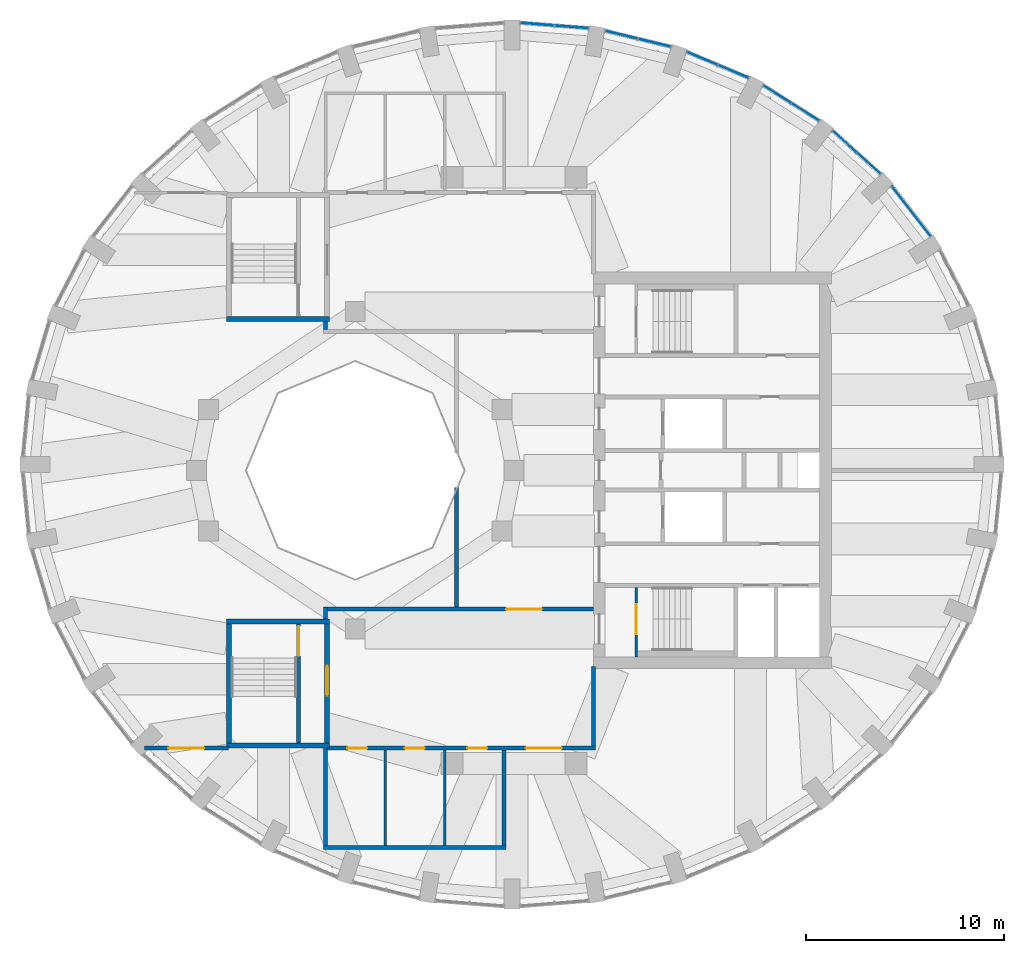
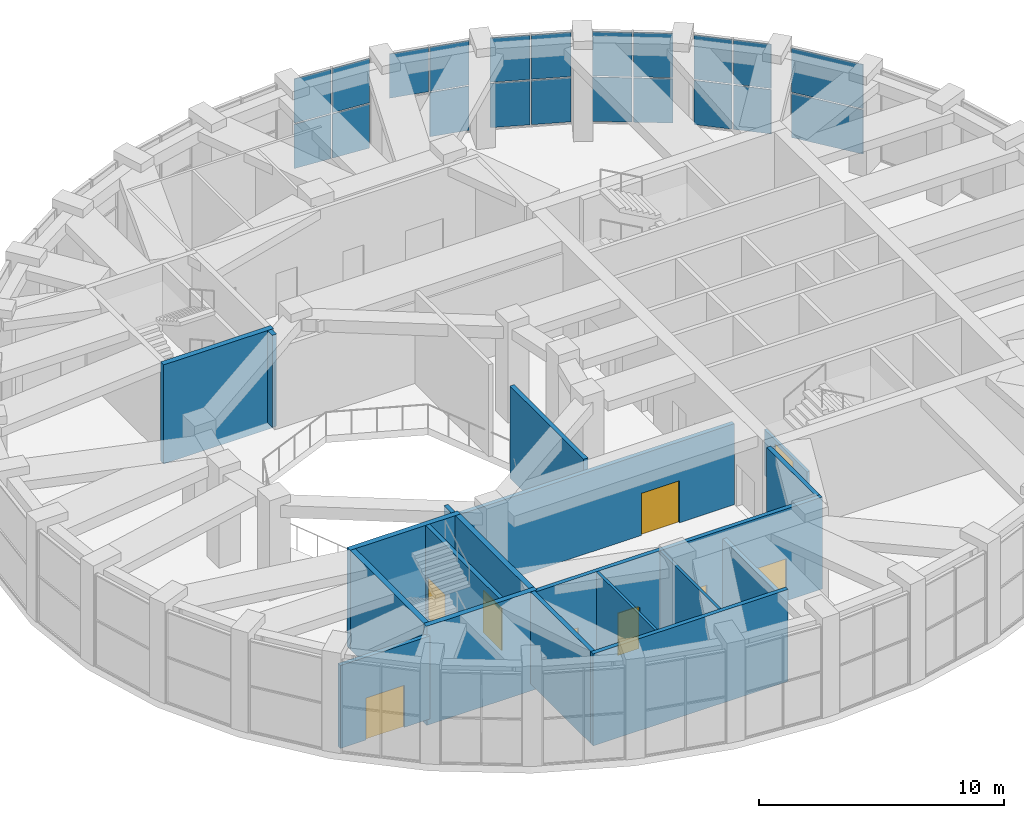
# One storey, part 12 of 16: 21 plates, 19 walls, 9 doors, 9 openings, 6 elements without a shape of their own.
"""IFC4 building model written with IfcOpenShell, lengths in metres."""

from ifc_helpers import new_model, si_unit, direction, frame, frame_2d, origin, origin_2d, place, context, subcontext, project, spatial, rectangle, extrude, material, layer, layer_set, type_object, element, fill, aggregate, save


model = new_model("IFC4")

# Units and contexts
model_context = context("Model", 3, precision=1e-05, world=origin(), true_north=direction((0.0, 1.0)))
body_context = subcontext(model_context, "Body", "Model", "MODEL_VIEW")
ifc_project = project(units=[si_unit("LENGTHUNIT", "METRE"), si_unit("AREAUNIT", "SQUARE_METRE"), si_unit("VOLUMEUNIT", "CUBIC_METRE"), si_unit("PLANEANGLEUNIT", "RADIAN"), si_unit("MASSUNIT", "GRAM", prefix="KILO")], contexts=[model_context])

# Site, building, storey
site_placement = place(None, origin())
site = spatial("IfcSite", under=ifc_project, at=site_placement, CompositionType="ELEMENT")
building_placement = place(site_placement, origin())
building = spatial("IfcBuilding", under=site, at=building_placement, Name="Taillehof Tower", CompositionType="ELEMENT")
storey_placement = place(building_placement, frame((0.0, 0.0, 264.199951171875)))
storey = spatial("IfcBuildingStorey", under=building, at=storey_placement, Name="L75", CompositionType="ELEMENT", Elevation=264.199951171875)

# Curtain wall, plates
ifc_material_1 = material(Name="Aluminium curtain wall with Clear laminated safety glass", Category="aluminium")
curtain_wall_type = type_object("IfcCurtainWallType", Name="Sky restaurant curtain wall", PredefinedType="USERDEFINED", material=ifc_material_1)
curtain_wall_1_placement = place(storey_placement, origin())
curtain_wall_1 = element("IfcCurtainWall", 1, at=curtain_wall_1_placement, inside=storey, type_object=curtain_wall_type, Name="Sky restaurant L75 bay 4", ObjectType="WINDOW WALL", PredefinedType="USERDEFINED")
ifc_material_2 = material(Name="Clear laminated safety glass", Category="glass")
ifc_layer_1 = layer(ifc_material_2, 0.031982421875)
ifc_layer_set_1 = layer_set([ifc_layer_1], Name="Sky restaurant glass panel 32")
plate_type = type_object("IfcPlateType", Name="Sky restaurant glass panel 32", PredefinedType="CURTAIN_PANEL", material=ifc_layer_set_1)
plate_1_placement = place(storey_placement, frame((20.029296875, 13.060546875, 0.06005859375), z_axis=(0.0, 0.0, 1.0), x_axis=(-0.613902818005, 0.789381612432, 0.0)))
plate_1 = element("IfcPlate", 2, at=plate_1_placement, type_object=plate_type, Name="CT5E04 panel 1.1", PredefinedType="CURTAIN_PANEL", context=body_context, shape_type="SweptSolid", body=[
    extrude(rectangle(XDim=3.14794921875, YDim=0.031982421875, at=origin_2d()), origin(), (0.0, 0.0, 1.0), 2.205078125),
])
plate_2_placement = place(storey_placement, frame((20.029296875, 13.060546875, 2.324951171875), z_axis=(0.0, 0.0, 1.0), x_axis=(-0.613902818005, 0.789381612432, 0.0)))
plate_2 = element("IfcPlate", 3, at=plate_2_placement, type_object=plate_type, Name="CT5E04 panel 1.2", PredefinedType="CURTAIN_PANEL", context=body_context, shape_type="SweptSolid", body=[
    extrude(rectangle(XDim=3.14794921875, YDim=0.031982421875, at=origin_2d()), origin(), (0.0, 0.0, 1.0), 2.205078125),
])
aggregate(curtain_wall_1, [plate_1, plate_2])

curtain_wall_2_placement = place(storey_placement, origin())
curtain_wall_2 = element("IfcCurtainWall", 4, at=curtain_wall_2_placement, inside=storey, type_object=curtain_wall_type, Name="Sky restaurant L75 bay 5", ObjectType="WINDOW WALL", PredefinedType="USERDEFINED")
plate_3_placement = place(storey_placement, frame((17.87744140625, 15.47509765625, 0.06005859375), z_axis=(0.0, 0.0, 1.0), x_axis=(-0.74316593792, 0.669107157872, 0.0)))
plate_3 = element("IfcPlate", 5, at=plate_3_placement, type_object=plate_type, Name="CT5E05 panel 1.1", PredefinedType="CURTAIN_PANEL", context=body_context, shape_type="SweptSolid", body=[
    extrude(rectangle(XDim=1.578125, YDim=0.031982421875, at=origin_2d()), origin(), (0.0, 0.0, 1.0), 2.205078125),
])
plate_4_placement = place(storey_placement, frame((17.87744140625, 15.47509765625, 2.324951171875), z_axis=(0.0, 0.0, 1.0), x_axis=(-0.74316593792, 0.669107157872, 0.0)))
plate_4 = element("IfcPlate", 6, at=plate_4_placement, type_object=plate_type, Name="CT5E05 panel 1.2", PredefinedType="CURTAIN_PANEL", context=body_context, shape_type="SweptSolid", body=[
    extrude(rectangle(XDim=1.578125, YDim=0.031982421875, at=origin_2d()), origin(), (0.0, 0.0, 1.0), 2.205078125),
])
plate_5_placement = place(storey_placement, frame((16.659912109375, 16.5712890625, 0.06005859375), z_axis=(0.0, 0.0, 1.0), x_axis=(-0.74316593792, 0.669107157872, 0.0)))
plate_5 = element("IfcPlate", 7, at=plate_5_placement, type_object=plate_type, Name="CT5E05 panel 2.1", PredefinedType="CURTAIN_PANEL", context=body_context, shape_type="SweptSolid", body=[
    extrude(rectangle(XDim=1.578125, YDim=0.031982421875, at=origin_2d()), origin(), (0.0, 0.0, 1.0), 2.205078125),
])
plate_6_placement = place(storey_placement, frame((16.659912109375, 16.5712890625, 2.324951171875), z_axis=(0.0, 0.0, 1.0), x_axis=(-0.74316593792, 0.669107157872, 0.0)))
plate_6 = element("IfcPlate", 8, at=plate_6_placement, type_object=plate_type, Name="CT5E05 panel 2.2", PredefinedType="CURTAIN_PANEL", context=body_context, shape_type="SweptSolid", body=[
    extrude(rectangle(XDim=1.578125, YDim=0.031982421875, at=origin_2d()), origin(), (0.0, 0.0, 1.0), 2.205078125),
])
aggregate(curtain_wall_2, [plate_3, plate_4, plate_5, plate_6])

curtain_wall_3_placement = place(storey_placement, origin())
curtain_wall_3 = element("IfcCurtainWall", 9, at=curtain_wall_3_placement, inside=storey, type_object=curtain_wall_type, Name="Sky restaurant L75 bay 6", ObjectType="WINDOW WALL", PredefinedType="USERDEFINED")
plate_7_placement = place(storey_placement, frame((14.690185546875, 18.059814453125, 0.06005859375), z_axis=(0.0, 0.0, 1.0), x_axis=(-0.845929695916, 0.533294430468, 0.0)))
plate_7 = element("IfcPlate", 10, at=plate_7_placement, type_object=plate_type, Name="CT5E06 panel 1.1", PredefinedType="CURTAIN_PANEL", context=body_context, shape_type="SweptSolid", body=[
    extrude(rectangle(XDim=1.61181640625, YDim=0.031982421875, at=origin_2d()), origin(), (0.0, 0.0, 1.0), 2.205078125),
])
plate_8_placement = place(storey_placement, frame((14.690185546875, 18.059814453125, 2.324951171875), z_axis=(0.0, 0.0, 1.0), x_axis=(-0.845929695916, 0.533294430468, 0.0)))
plate_8 = element("IfcPlate", 11, at=plate_8_placement, type_object=plate_type, Name="CT5E06 panel 1.2", PredefinedType="CURTAIN_PANEL", context=body_context, shape_type="SweptSolid", body=[
    extrude(rectangle(XDim=1.61181640625, YDim=0.031982421875, at=origin_2d()), origin(), (0.0, 0.0, 1.0), 2.205078125),
])
plate_9_placement = place(storey_placement, frame((13.27587890625, 18.951416015625, 0.06005859375), z_axis=(0.0, 0.0, 1.0), x_axis=(-0.845929695916, 0.533294430468, 0.0)))
plate_9 = element("IfcPlate", 12, at=plate_9_placement, type_object=plate_type, Name="CT5E06 panel 2.1", PredefinedType="CURTAIN_PANEL", context=body_context, shape_type="SweptSolid", body=[
    extrude(rectangle(XDim=1.61181640625, YDim=0.031982421875, at=origin_2d()), origin(), (0.0, 0.0, 1.0), 2.205078125),
])
plate_10_placement = place(storey_placement, frame((13.27587890625, 18.951416015625, 2.324951171875), z_axis=(0.0, 0.0, 1.0), x_axis=(-0.845929695916, 0.533294430468, 0.0)))
plate_10 = element("IfcPlate", 13, at=plate_10_placement, type_object=plate_type, Name="CT5E06 panel 2.2", PredefinedType="CURTAIN_PANEL", context=body_context, shape_type="SweptSolid", body=[
    extrude(rectangle(XDim=1.61181640625, YDim=0.031982421875, at=origin_2d()), origin(), (0.0, 0.0, 1.0), 2.205078125),
])
aggregate(curtain_wall_3, [plate_7, plate_8, plate_9, plate_10])

curtain_wall_4_placement = place(storey_placement, origin())
curtain_wall_4 = element("IfcCurtainWall", 14, at=curtain_wall_4_placement, inside=storey, type_object=curtain_wall_type, Name="Sky restaurant L75 bay 7", ObjectType="WINDOW WALL", PredefinedType="USERDEFINED")
plate_11_placement = place(storey_placement, frame((11.05712890625, 20.10498046875, 0.06005859375), z_axis=(0.0, 0.0, 1.0), x_axis=(-0.922037438233, 0.387100713636, 0.0)))
plate_11 = element("IfcPlate", 15, at=plate_11_placement, type_object=plate_type, Name="CT5E07 panel 1.1", PredefinedType="CURTAIN_PANEL", context=body_context, shape_type="SweptSolid", body=[
    extrude(rectangle(XDim=1.64111328125, YDim=0.031982421875, at=origin_2d()), origin(), (0.0, 0.0, 1.0), 2.205078125),
])
plate_12_placement = place(storey_placement, frame((11.05712890625, 20.10498046875, 2.324951171875), z_axis=(0.0, 0.0, 1.0), x_axis=(-0.922037438233, 0.387100713636, 0.0)))
plate_12 = element("IfcPlate", 16, at=plate_12_placement, type_object=plate_type, Name="CT5E07 panel 1.2", PredefinedType="CURTAIN_PANEL", context=body_context, shape_type="SweptSolid", body=[
    extrude(rectangle(XDim=1.64111328125, YDim=0.031982421875, at=origin_2d()), origin(), (0.0, 0.0, 1.0), 2.205078125),
])
plate_13_placement = place(storey_placement, frame((9.48876953125, 20.763671875, 0.06005859375), z_axis=(0.0, 0.0, 1.0), x_axis=(-0.922037438233, 0.387100713636, 0.0)))
plate_13 = element("IfcPlate", 17, at=plate_13_placement, type_object=plate_type, Name="CT5E07 panel 2.1", PredefinedType="CURTAIN_PANEL", context=body_context, shape_type="SweptSolid", body=[
    extrude(rectangle(XDim=1.64111328125, YDim=0.031982421875, at=origin_2d()), origin(), (0.0, 0.0, 1.0), 2.205078125),
])
plate_14_placement = place(storey_placement, frame((9.48876953125, 20.763671875, 2.324951171875), z_axis=(0.0, 0.0, 1.0), x_axis=(-0.922037438233, 0.387100713636, 0.0)))
plate_14 = element("IfcPlate", 18, at=plate_14_placement, type_object=plate_type, Name="CT5E07 panel 2.2", PredefinedType="CURTAIN_PANEL", context=body_context, shape_type="SweptSolid", body=[
    extrude(rectangle(XDim=1.64111328125, YDim=0.031982421875, at=origin_2d()), origin(), (0.0, 0.0, 1.0), 2.205078125),
])
aggregate(curtain_wall_4, [plate_11, plate_12, plate_13, plate_14])

curtain_wall_5_placement = place(storey_placement, origin())
curtain_wall_5 = element("IfcCurtainWall", 19, at=curtain_wall_5_placement, inside=storey, type_object=curtain_wall_type, Name="Sky restaurant L75 bay 8", ObjectType="WINDOW WALL", PredefinedType="USERDEFINED")
plate_15_placement = place(storey_placement, frame((7.08837890625, 21.550537109375, 0.06005859375), z_axis=(0.0, 0.0, 1.0), x_axis=(-0.972112616855, 0.234514520129, 0.0)))
plate_15 = element("IfcPlate", 20, at=plate_15_placement, type_object=plate_type, Name="CT5E08 panel 1.1", PredefinedType="CURTAIN_PANEL", context=body_context, shape_type="SweptSolid", body=[
    extrude(rectangle(XDim=1.66259765625, YDim=0.031982421875, at=origin_2d()), origin(), (0.0, 0.0, 1.0), 2.205078125),
])
plate_16_placement = place(storey_placement, frame((7.08837890625, 21.550537109375, 2.324951171875), z_axis=(0.0, 0.0, 1.0), x_axis=(-0.972112616855, 0.234514520129, 0.0)))
plate_16 = element("IfcPlate", 21, at=plate_16_placement, type_object=plate_type, Name="CT5E08 panel 1.2", PredefinedType="CURTAIN_PANEL", context=body_context, shape_type="SweptSolid", body=[
    extrude(rectangle(XDim=1.66259765625, YDim=0.031982421875, at=origin_2d()), origin(), (0.0, 0.0, 1.0), 2.205078125),
])
plate_17_placement = place(storey_placement, frame((5.413818359375, 21.954345703125, 2.324951171875), z_axis=(0.0, 0.0, 1.0), x_axis=(-0.972112616855, 0.234514520129, 0.0)))
plate_17 = element("IfcPlate", 22, at=plate_17_placement, type_object=plate_type, Name="CT5E08 panel 2.2", PredefinedType="CURTAIN_PANEL", context=body_context, shape_type="SweptSolid", body=[
    extrude(rectangle(XDim=1.66259765625, YDim=0.031982421875, at=origin_2d()), origin(), (0.0, 0.0, 1.0), 2.205078125),
])
aggregate(curtain_wall_5, [plate_15, plate_16, plate_17])

curtain_wall_6_placement = place(storey_placement, origin())
curtain_wall_6 = element("IfcCurtainWall", 23, at=curtain_wall_6_placement, inside=storey, type_object=curtain_wall_type, Name="Sky restaurant L75 bay 9", ObjectType="WINDOW WALL", PredefinedType="USERDEFINED")
plate_18_placement = place(storey_placement, frame((2.902587890625, 22.35302734375, 0.06005859375), z_axis=(0.0, 0.0, 1.0), x_axis=(-0.996912140109, 0.078525059075, 0.0)))
plate_18 = element("IfcPlate", 24, at=plate_18_placement, type_object=plate_type, Name="CT5E09 panel 1.1", PredefinedType="CURTAIN_PANEL", context=body_context, shape_type="SweptSolid", body=[
    extrude(rectangle(XDim=1.673828125, YDim=0.031982421875, at=origin_2d()), origin(), (0.0, 0.0, 1.0), 2.205078125),
])
plate_19_placement = place(storey_placement, frame((2.902587890625, 22.35302734375, 2.324951171875), z_axis=(0.0, 0.0, 1.0), x_axis=(-0.996912140109, 0.078525059075, 0.0)))
plate_19 = element("IfcPlate", 25, at=plate_19_placement, type_object=plate_type, Name="CT5E09 panel 1.2", PredefinedType="CURTAIN_PANEL", context=body_context, shape_type="SweptSolid", body=[
    extrude(rectangle(XDim=1.673828125, YDim=0.031982421875, at=origin_2d()), origin(), (0.0, 0.0, 1.0), 2.205078125),
])
plate_20_placement = place(storey_placement, frame((1.174072265625, 22.4892578125, 0.06005859375), z_axis=(0.0, 0.0, 1.0), x_axis=(-0.996912140109, 0.078525059075, 0.0)))
plate_20 = element("IfcPlate", 26, at=plate_20_placement, type_object=plate_type, Name="CT5E09 panel 2.1", PredefinedType="CURTAIN_PANEL", context=body_context, shape_type="SweptSolid", body=[
    extrude(rectangle(XDim=1.673828125, YDim=0.031982421875, at=origin_2d()), origin(), (0.0, 0.0, 1.0), 2.205078125),
])
plate_21_placement = place(storey_placement, frame((1.174072265625, 22.4892578125, 2.324951171875), z_axis=(0.0, 0.0, 1.0), x_axis=(-0.996912140109, 0.078525059075, 0.0)))
plate_21 = element("IfcPlate", 27, at=plate_21_placement, type_object=plate_type, Name="CT5E09 panel 2.2", PredefinedType="CURTAIN_PANEL", context=body_context, shape_type="SweptSolid", body=[
    extrude(rectangle(XDim=1.673828125, YDim=0.031982421875, at=origin_2d()), origin(), (0.0, 0.0, 1.0), 2.205078125),
])
aggregate(curtain_wall_6, [plate_18, plate_19, plate_20, plate_21])

# Wall
ifc_material_3 = material(Name="Calcium silicate blockwork", Category="masonry")
ifc_layer_2 = layer(ifc_material_3, 0.199951171875)
ifc_layer_set_2 = layer_set([ifc_layer_2], Name="Compartment wall EI 60 200 mm")
wall_type_1 = type_object("IfcWallType", Name="Compartment wall EI 60 200 mm", PredefinedType="PARTITIONING", material=ifc_layer_set_2)
wall_1_placement = place(storey_placement, frame((-9.60009765625, -19.0, 0.0), z_axis=(0.0, 0.0, 1.0), x_axis=(1.0, 0.0, 0.0)))
element("IfcWall", 28, at=wall_1_placement, inside=storey, type_object=wall_type_1, Name="Wall L75-04 / L75-11", PredefinedType="PARTITIONING", context=body_context, shape_type="SweptSolid", body=[
    extrude(rectangle(XDim=9.2001953125, YDim=0.199951171875, at=frame_2d((4.60009765625, 0.0))), origin(), (0.0, 0.0, 1.0), 4.590087890625),
])

# Wall, opening, door
wall_2_placement = place(storey_placement, frame((-18.635498046875, -14.0, 0.0), z_axis=(0.0, 0.0, 1.0), x_axis=(1.0, 0.0, 0.0)))
wall_2 = element("IfcWall", 29, at=wall_2_placement, inside=storey, type_object=wall_type_1, Name="Wall L75-11 / L75-12", PredefinedType="PARTITIONING", context=body_context, shape_type="SweptSolid", body=[
    extrude(rectangle(XDim=4.235595703125, YDim=0.199951171875, at=frame_2d((2.11767578125, 0.0))), origin(), (0.0, 0.0, 1.0), 4.14013671875),
])
opening_1_placement = place(wall_2_placement, frame((1.217529296875, 0.0, 0.0)))
opening_1 = element("IfcOpeningElement", 30, at=opening_1_placement, cuts=wall_2, Name="Opening D7541", PredefinedType="OPENING", context=body_context, shape_type="SweptSolid", body=[
    extrude(rectangle(XDim=1.800048828125, YDim=2.10009765625, at=frame_2d((0.89990234375, 1.050048828125))), frame((0.0, 0.10986328125, 0.0), z_axis=(0.0, -1.0, 0.0), x_axis=(1.0, 0.0, 0.0)), (0.0, 0.0, 1.0), 0.219970703125),
])
ifc_material_4 = material(Name="Hollow metal door set")
door_type_1 = type_object("IfcDoorType", Name="Double door 1800 x 2100 FD60S", OperationType="DOUBLE_DOOR_SINGLE_SWING", PredefinedType="DOOR", material=ifc_material_4)
door_1_placement = place(opening_1_placement, origin())
door_1 = element("IfcDoor", 31, at=door_1_placement, inside=storey, type_object=door_type_1, Name="Door D7541", OperationType="DOUBLE_DOOR_SINGLE_SWING", OverallHeight=2.10009765625, OverallWidth=1.800048828125, PredefinedType="DOOR", context=body_context, shape_type="SweptSolid", body=[
    extrude(rectangle(XDim=1.800048828125, YDim=2.10009765625, at=frame_2d((0.89990234375, 1.050048828125))), frame((0.0, 0.02490234375, 0.0), z_axis=(0.0, -1.0, 0.0), x_axis=(1.0, 0.0, 0.0)), (0.0, 0.0, 1.0), 0.050048828125),
])
fill(opening_1, door_1)

# Wall, openings, doors
wall_3_placement = place(storey_placement, frame((-9.39990234375, -14.0, 0.0), z_axis=(0.0, 0.0, 1.0), x_axis=(1.0, 0.0, 0.0)))
wall_3 = element("IfcWall", 32, at=wall_3_placement, inside=storey, type_object=wall_type_1, Name="Wall L75-04 / L75-08", PredefinedType="PARTITIONING", context=body_context, shape_type="SweptSolid", body=[
    extrude(rectangle(XDim=13.5, YDim=0.199951171875, at=frame_2d((6.75, 0.0))), origin(), (0.0, 0.0, 1.0), 4.590087890625),
])
opening_2_placement = place(wall_3_placement, frame((10.0, 0.0, 0.0)))
opening_2 = element("IfcOpeningElement", 33, at=opening_2_placement, cuts=wall_3, Name="Opening D7545", PredefinedType="OPENING", context=body_context, shape_type="SweptSolid", body=[
    extrude(rectangle(XDim=1.800048828125, YDim=2.10009765625, at=frame_2d((0.89990234375, 1.050048828125))), frame((0.0, 0.10986328125, 0.0), z_axis=(0.0, -1.0, 0.0), x_axis=(1.0, 0.0, 0.0)), (0.0, 0.0, 1.0), 0.219970703125),
])
opening_3_placement = place(wall_3_placement, frame((1.0, 0.0, 0.0)))
opening_3 = element("IfcOpeningElement", 34, at=opening_3_placement, cuts=wall_3, Name="Opening D7542", PredefinedType="OPENING", context=body_context, shape_type="SweptSolid", body=[
    extrude(rectangle(XDim=1.0, YDim=2.10009765625, at=frame_2d((0.5, 1.050048828125))), frame((0.0, 0.10986328125, 0.0), z_axis=(0.0, -1.0, 0.0), x_axis=(1.0, 0.0, 0.0)), (0.0, 0.0, 1.0), 0.219970703125),
])
opening_4_placement = place(wall_3_placement, frame((3.89990234375, 0.0, 0.0)))
opening_4 = element("IfcOpeningElement", 35, at=opening_4_placement, cuts=wall_3, Name="Opening D7543", PredefinedType="OPENING", context=body_context, shape_type="SweptSolid", body=[
    extrude(rectangle(XDim=1.0, YDim=2.10009765625, at=frame_2d((0.5, 1.050048828125))), frame((0.0, 0.10986328125, 0.0), z_axis=(0.0, -1.0, 0.0), x_axis=(1.0, 0.0, 0.0)), (0.0, 0.0, 1.0), 0.219970703125),
])
opening_5_placement = place(wall_3_placement, frame((7.050048828125, 0.0, 0.0)))
opening_5 = element("IfcOpeningElement", 36, at=opening_5_placement, cuts=wall_3, Name="Opening D7544", PredefinedType="OPENING", context=body_context, shape_type="SweptSolid", body=[
    extrude(rectangle(XDim=1.0, YDim=2.10009765625, at=frame_2d((0.5, 1.050048828125))), frame((0.0, 0.10986328125, 0.0), z_axis=(0.0, -1.0, 0.0), x_axis=(1.0, 0.0, 0.0)), (0.0, 0.0, 1.0), 0.219970703125),
])
door_2_placement = place(opening_2_placement, origin())
door_2 = element("IfcDoor", 37, at=door_2_placement, inside=storey, type_object=door_type_1, Name="Door D7545", OperationType="DOUBLE_DOOR_SINGLE_SWING", OverallHeight=2.10009765625, OverallWidth=1.800048828125, PredefinedType="DOOR", context=body_context, shape_type="SweptSolid", body=[
    extrude(rectangle(XDim=1.800048828125, YDim=2.10009765625, at=frame_2d((0.89990234375, 1.050048828125))), frame((0.0, 0.02490234375, 0.0), z_axis=(0.0, -1.0, 0.0), x_axis=(1.0, 0.0, 0.0)), (0.0, 0.0, 1.0), 0.050048828125),
])
fill(opening_2, door_2)
ifc_material_5 = material(Name="Hollow metal door set")
door_type_2 = type_object("IfcDoorType", Name="Single door 1000 x 2100 FD60S", OperationType="SINGLE_SWING_LEFT", PredefinedType="DOOR", material=ifc_material_5)
door_3_placement = place(opening_3_placement, origin())
door_3 = element("IfcDoor", 38, at=door_3_placement, inside=storey, type_object=door_type_2, Name="Door D7542", OperationType="SINGLE_SWING_LEFT", OverallHeight=2.10009765625, OverallWidth=1.0, PredefinedType="DOOR", context=body_context, shape_type="SweptSolid", body=[
    extrude(rectangle(XDim=1.0, YDim=2.10009765625, at=frame_2d((0.5, 1.050048828125))), frame((0.0, 0.02490234375, 0.0), z_axis=(0.0, -1.0, 0.0), x_axis=(1.0, 0.0, 0.0)), (0.0, 0.0, 1.0), 0.050048828125),
])
fill(opening_3, door_3)
door_4_placement = place(opening_4_placement, origin())
door_4 = element("IfcDoor", 39, at=door_4_placement, inside=storey, type_object=door_type_2, Name="Door D7543", OperationType="SINGLE_SWING_LEFT", OverallHeight=2.10009765625, OverallWidth=1.0, PredefinedType="DOOR", context=body_context, shape_type="SweptSolid", body=[
    extrude(rectangle(XDim=1.0, YDim=2.10009765625, at=frame_2d((0.5, 1.050048828125))), frame((0.0, 0.02490234375, 0.0), z_axis=(0.0, -1.0, 0.0), x_axis=(1.0, 0.0, 0.0)), (0.0, 0.0, 1.0), 0.050048828125),
])
fill(opening_4, door_4)
door_5_placement = place(opening_5_placement, origin())
door_5 = element("IfcDoor", 40, at=door_5_placement, inside=storey, type_object=door_type_2, Name="Door D7544", OperationType="SINGLE_SWING_LEFT", OverallHeight=2.10009765625, OverallWidth=1.0, PredefinedType="DOOR", context=body_context, shape_type="SweptSolid", body=[
    extrude(rectangle(XDim=1.0, YDim=2.10009765625, at=frame_2d((0.5, 1.050048828125))), frame((0.0, 0.02490234375, 0.0), z_axis=(0.0, -1.0, 0.0), x_axis=(1.0, 0.0, 0.0)), (0.0, 0.0, 1.0), 0.050048828125),
])
fill(opening_5, door_5)

# Wall, opening, door
wall_4_placement = place(storey_placement, frame((-9.39990234375, -7.0, 0.0), z_axis=(0.0, 0.0, 1.0), x_axis=(1.0, 0.0, 0.0)))
wall_4 = element("IfcWall", 41, at=wall_4_placement, inside=storey, type_object=wall_type_1, Name="Wall L75-08 / L75-12", PredefinedType="PARTITIONING", context=body_context, shape_type="SweptSolid", body=[
    extrude(rectangle(XDim=13.40185546875, YDim=0.199951171875, at=frame_2d((6.700927734375, 0.0))), origin(), (0.0, 0.0, 1.0), 4.0400390625),
])
opening_6_placement = place(wall_4_placement, frame((9.0009765625, 0.0, 0.0)))
opening_6 = element("IfcOpeningElement", 42, at=opening_6_placement, cuts=wall_4, Name="Opening D7546", PredefinedType="OPENING", context=body_context, shape_type="SweptSolid", body=[
    extrude(rectangle(XDim=1.800048828125, YDim=2.10009765625, at=frame_2d((0.89990234375, 1.050048828125))), frame((0.0, 0.10986328125, 0.0), z_axis=(0.0, -1.0, 0.0), x_axis=(1.0, 0.0, 0.0)), (0.0, 0.0, 1.0), 0.219970703125),
])
door_6_placement = place(opening_6_placement, origin())
door_6 = element("IfcDoor", 43, at=door_6_placement, inside=storey, type_object=door_type_1, Name="Door D7546", OperationType="DOUBLE_DOOR_SINGLE_SWING", OverallHeight=2.10009765625, OverallWidth=1.800048828125, PredefinedType="DOOR", context=body_context, shape_type="SweptSolid", body=[
    extrude(rectangle(XDim=1.800048828125, YDim=2.10009765625, at=frame_2d((0.89990234375, 1.050048828125))), frame((0.0, 0.02490234375, 0.0), z_axis=(0.0, -1.0, 0.0), x_axis=(1.0, 0.0, 0.0)), (0.0, 0.0, 1.0), 0.050048828125),
])
fill(opening_6, door_6)

# Walls
wall_5_placement = place(storey_placement, frame((-9.5, -18.89990234375, 0.0), z_axis=(0.0, 0.0, 1.0), x_axis=(0.0, 1.0, 0.0)))
element("IfcWall", 44, at=wall_5_placement, inside=storey, type_object=wall_type_1, Name="Wall L75-04 / L75-11", PredefinedType="PARTITIONING", context=body_context, shape_type="SweptSolid", body=[
    extrude(rectangle(XDim=4.90185546875, YDim=0.199951171875, at=frame_2d((2.450927734375, 0.0))), origin(), (0.0, 0.0, 1.0), 4.590087890625),
])
wall_6_placement = place(storey_placement, frame((-9.5, -7.501953125, 0.0), z_axis=(0.0, 0.0, 1.0), x_axis=(0.0, 1.0, 0.0)))
element("IfcWall", 45, at=wall_6_placement, inside=storey, type_object=wall_type_1, Name="Wall L75-08 / L75-12", PredefinedType="PARTITIONING", context=body_context, shape_type="SweptSolid", body=[
    extrude(rectangle(XDim=0.60205078125, YDim=0.199951171875, at=frame_2d((0.301025390625, 0.0))), origin(), (0.0, 0.0, 1.0), 4.590087890625),
])
wall_7_placement = place(storey_placement, frame((-9.5, 7.10009765625, 0.0), z_axis=(0.0, 0.0, 1.0), x_axis=(0.0, 1.0, 0.0)))
element("IfcWall", 46, at=wall_7_placement, inside=storey, type_object=wall_type_1, Name="Wall L75-07 / L75-12", PredefinedType="PARTITIONING", context=body_context, shape_type="SweptSolid", body=[
    extrude(rectangle(XDim=0.40185546875, YDim=0.199951171875, at=frame_2d((0.200927734375, 0.0))), origin(), (0.0, 0.0, 1.0), 4.590087890625),
])
wall_8_placement = place(storey_placement, frame((-2.89990234375, -6.89990234375, 0.0), z_axis=(0.0, 0.0, 1.0), x_axis=(0.0, 1.0, 0.0)))
element("IfcWall", 47, at=wall_8_placement, inside=storey, type_object=wall_type_1, Name="Wall L75-09 / L75-12", PredefinedType="PARTITIONING", context=body_context, shape_type="SweptSolid", body=[
    extrude(rectangle(XDim=6.0341796875, YDim=0.199951171875, at=frame_2d((3.01708984375, 0.0))), origin(), (0.0, 0.0, 1.0), 4.590087890625),
])
wall_9_placement = place(storey_placement, frame((-0.5, -18.89990234375, 0.0), z_axis=(0.0, 0.0, 1.0), x_axis=(0.0, 1.0, 0.0)))
element("IfcWall", 48, at=wall_9_placement, inside=storey, type_object=wall_type_1, Name="Wall L75-06 / L75-11", PredefinedType="PARTITIONING", context=body_context, shape_type="SweptSolid", body=[
    extrude(rectangle(XDim=4.7998046875, YDim=0.199951171875, at=frame_2d((2.39990234375, 0.0))), origin(), (0.0, 0.0, 1.0), 4.14013671875),
])
wall_10_placement = place(storey_placement, frame((4.0, -13.89990234375, 0.0), z_axis=(0.0, 0.0, 1.0), x_axis=(0.0, 1.0, 0.0)))
element("IfcWall", 49, at=wall_10_placement, inside=storey, type_object=wall_type_1, Name="Wall L75-08 / L75-11", PredefinedType="PARTITIONING", context=body_context, shape_type="SweptSolid", body=[
    extrude(rectangle(XDim=4.0, YDim=0.199951171875, at=frame_2d((2.0, 0.0))), origin(), (0.0, 0.0, 1.0), 4.590087890625),
])
ifc_material_6 = material(Name="Gypsum board partition on steel studs", Category="steel")
ifc_layer_3 = layer(ifc_material_6, 0.125)
ifc_layer_set_3 = layer_set([ifc_layer_3], Name="Partition wall EI 30 125 mm")
wall_type_2 = type_object("IfcWallType", Name="Partition wall EI 30 125 mm", PredefinedType="PARTITIONING", material=ifc_layer_set_3)
for number, where, z_axis, x_axis, name in (
    (50, (-6.5, -18.89990234375, 0.0), (0.0, 0.0, 1.0), (0.0, 1.0, 0.0), "Wall L75-04 / L75-05"),
    (51, (-3.5, -18.89990234375, 0.0), (0.0, 0.0, 1.0), (0.0, 1.0, 0.0), "Wall L75-05 / L75-06"),
):
    element("IfcWall", number, at=place(storey_placement, frame(where, z_axis=z_axis, x_axis=x_axis)), inside=storey, type_object=wall_type_2, Name=name, PredefinedType="PARTITIONING", context=body_context, shape_type="SweptSolid", body=[
        extrude(rectangle(XDim=4.7998046875, YDim=0.125, at=frame_2d((2.39990234375, 0.0))), origin(), (0.0, 0.0, 1.0), 4.590087890625),
    ])

# Wall, opening, door
ifc_material_7 = material(Name="Concrete C50/60", Category="concrete")
ifc_layer_4 = layer(ifc_material_7, 0.199951171875)
ifc_layer_set_4 = layer_set([ifc_layer_4], Name="Shaft wall C50/60 200")
wall_type_3 = type_object("IfcWallType", Name="Shaft wall C50/60 200", PredefinedType="SHEAR", material=ifc_layer_set_4)
wall_11_placement = place(storey_placement, frame((-10.85009765625, -13.75, 0.0), z_axis=(0.0, 0.0, 1.0), x_axis=(0.0, 1.0, 0.0)))
wall_11 = element("IfcWall", 52, at=wall_11_placement, inside=storey, type_object=wall_type_3, Name="Shaft wall SW", PredefinedType="SHEAR", context=body_context, shape_type="SweptSolid", body=[
    extrude(rectangle(XDim=6.0, YDim=0.199951171875, at=frame_2d((3.0, 0.0))), origin(), (0.0, 0.0, 1.0), 4.590087890625),
])
opening_7_placement = place(wall_11_placement, frame((4.39990234375, 0.0, 0.0)))
opening_7 = element("IfcOpeningElement", 53, at=opening_7_placement, cuts=wall_11, Name="Opening D7511", PredefinedType="OPENING", context=body_context, shape_type="SweptSolid", body=[
    extrude(rectangle(XDim=1.5, YDim=2.10009765625, at=frame_2d((0.75, 1.050048828125))), frame((0.0, 0.10986328125, 0.0), z_axis=(0.0, -1.0, 0.0), x_axis=(1.0, 0.0, 0.0)), (0.0, 0.0, 1.0), 0.219970703125),
])
ifc_material_8 = material(Name="Steel-faced fire door", Category="steel")
door_type_3 = type_object("IfcDoorType", Name="Stair door 1500x2100", OperationType="DOUBLE_DOOR_SINGLE_SWING", PredefinedType="DOOR", material=ifc_material_8)
door_7_placement = place(opening_7_placement, origin())
door_7 = element("IfcDoor", 54, at=door_7_placement, inside=storey, type_object=door_type_3, Name="Stair lobby door S4", OperationType="DOUBLE_DOOR_SINGLE_SWING", OverallHeight=2.10009765625, OverallWidth=1.5, PredefinedType="DOOR", context=body_context, shape_type="SweptSolid", body=[
    extrude(rectangle(XDim=1.5, YDim=2.10009765625, at=frame_2d((0.75, 1.050048828125))), frame((0.0, 0.02490234375, 0.0), z_axis=(0.0, -1.0, 0.0), x_axis=(1.0, 0.0, 0.0)), (0.0, 0.0, 1.0), 0.050048828125),
])
fill(opening_7, door_7)

ifc_material_9 = material(Name="Concrete C50/60", Category="concrete")
ifc_layer_5 = layer(ifc_material_9, 0.1201171875)
ifc_layer_set_5 = layer_set([ifc_layer_5], Name="Stair lobby wall C50/60 120")
wall_type_4 = type_object("IfcWallType", Name="Stair lobby wall C50/60 120", PredefinedType="SHEAR", material=ifc_layer_set_5)
wall_12_placement = place(storey_placement, frame((6.159912109375, -9.39990234375, 0.0), z_axis=(0.0, 0.0, 1.0), x_axis=(0.0, 1.0, 0.0)))
wall_12 = element("IfcWall", 55, at=wall_12_placement, inside=storey, type_object=wall_type_4, Name="Compartment wall SW", PredefinedType="SHEAR", context=body_context, shape_type="SweptSolid", body=[
    extrude(rectangle(XDim=3.5, YDim=0.1201171875, at=frame_2d((1.75, 0.0))), origin(), (0.0, 0.0, 1.0), 2.2900390625),
])
opening_8_placement = place(wall_12_placement, frame((1.14990234375, 0.0, 0.0)))
opening_8 = element("IfcOpeningElement", 56, at=opening_8_placement, cuts=wall_12, Name="Opening D7509", PredefinedType="OPENING", context=body_context, shape_type="SweptSolid", body=[
    extrude(rectangle(XDim=1.5, YDim=2.10009765625, at=frame_2d((0.75, 1.050048828125))), frame((0.0, 0.070068359375, 0.0), z_axis=(0.0, -1.0, 0.0), x_axis=(1.0, 0.0, 0.0)), (0.0, 0.0, 1.0), 0.14013671875),
])
door_8_placement = place(opening_8_placement, origin())
door_8 = element("IfcDoor", 57, at=door_8_placement, inside=storey, type_object=door_type_3, Name="Stair lobby door S2", OperationType="DOUBLE_DOOR_SINGLE_SWING", OverallHeight=2.10009765625, OverallWidth=1.5, PredefinedType="DOOR", context=body_context, shape_type="SweptSolid", body=[
    extrude(rectangle(XDim=1.5, YDim=2.10009765625, at=frame_2d((0.75, 1.050048828125))), frame((0.0, 0.02490234375, 0.0), z_axis=(0.0, -1.0, 0.0), x_axis=(1.0, 0.0, 0.0)), (0.0, 0.0, 1.0), 0.050048828125),
])
fill(opening_8, door_8)

# Walls
ifc_material_10 = material(Name="Concrete C50/60", Category="concrete")
ifc_layer_6 = layer(ifc_material_10, 0.25)
ifc_layer_set_6 = layer_set([ifc_layer_6], Name="Stair wall C50/60 250")
wall_type_5 = type_object("IfcWallType", Name="Stair wall C50/60 250", PredefinedType="SHEAR", material=ifc_layer_set_6)
wall_13_placement = place(storey_placement, frame((-14.5, 7.625, -0.349853515625), z_axis=(0.0, 0.0, 1.0), x_axis=(1.0, 0.0, 0.0)))
element("IfcWall", 58, at=wall_13_placement, inside=storey, type_object=wall_type_5, Name="Stair wall SC", PredefinedType="SHEAR", context=body_context, shape_type="SweptSolid", body=[
    extrude(rectangle(XDim=5.199951171875, YDim=0.25, at=frame_2d((2.60009765625, 0.0))), origin(), (0.0, 0.0, 1.0), 4.93994140625),
])
wall_14_placement = place(storey_placement, frame((-14.375, -13.75, -0.349853515625), z_axis=(0.0, 0.0, 1.0), x_axis=(0.0, 1.0, 0.0)))
element("IfcWall", 59, at=wall_14_placement, inside=storey, type_object=wall_type_5, Name="Stair wall SC", PredefinedType="SHEAR", context=body_context, shape_type="SweptSolid", body=[
    extrude(rectangle(XDim=6.0, YDim=0.25, at=frame_2d((3.0, 0.0))), origin(), (0.0, 0.0, 1.0), 4.93994140625),
])

# Wall, opening, door
wall_15_placement = place(storey_placement, frame((-9.425048828125, -13.75, -0.349853515625), z_axis=(0.0, 0.0, 1.0), x_axis=(0.0, 1.0, 0.0)))
wall_15 = element("IfcWall", 60, at=wall_15_placement, inside=storey, type_object=wall_type_5, Name="Stair wall SC", PredefinedType="SHEAR", context=body_context, shape_type="SweptSolid", body=[
    extrude(rectangle(XDim=6.0, YDim=0.25, at=frame_2d((3.0, 0.0))), origin(), (0.0, 0.0, 1.0), 4.93994140625),
])
opening_9_placement = place(wall_15_placement, frame((2.39990234375, 0.0, 0.35009765625)))
opening_9 = element("IfcOpeningElement", 61, at=opening_9_placement, cuts=wall_15, Name="Opening D7517", PredefinedType="OPENING", context=body_context, shape_type="SweptSolid", body=[
    extrude(rectangle(XDim=1.5, YDim=2.10009765625, at=frame_2d((0.75, 1.050048828125))), frame((0.0, 0.135009765625, 0.0), z_axis=(0.0, -1.0, 0.0), x_axis=(1.0, 0.0, 0.0)), (0.0, 0.0, 1.0), 0.27001953125),
])
door_9_placement = place(opening_9_placement, origin())
door_9 = element("IfcDoor", 62, at=door_9_placement, inside=storey, type_object=door_type_3, Name="Stair door S4", OperationType="DOUBLE_DOOR_SINGLE_SWING", OverallHeight=2.10009765625, OverallWidth=1.5, PredefinedType="DOOR", context=body_context, shape_type="SweptSolid", body=[
    extrude(rectangle(XDim=1.5, YDim=2.10009765625, at=frame_2d((0.75, 1.050048828125))), frame((0.0, 0.02490234375, 0.0), z_axis=(0.0, -1.0, 0.0), x_axis=(1.0, 0.0, 0.0)), (0.0, 0.0, 1.0), 0.050048828125),
])
fill(opening_9, door_9)

# Walls
for number, where, z_axis, x_axis, name in (
    (63, (-14.5, -7.625, -0.349853515625), (0.0, 0.0, 1.0), (1.0, 0.0, 0.0), "Stair wall SC"),
    (64, (-14.5, -13.875, -0.349853515625), (0.0, 0.0, 1.0), (1.0, 0.0, 0.0), "Stair wall SC"),
):
    element("IfcWall", number, at=place(storey_placement, frame(where, z_axis=z_axis, x_axis=x_axis)), inside=storey, type_object=wall_type_5, Name=name, PredefinedType="SHEAR", context=body_context, shape_type="SweptSolid", body=[
        extrude(rectangle(XDim=5.199951171875, YDim=0.25, at=frame_2d((2.60009765625, 0.0))), origin(), (0.0, 0.0, 1.0), 4.93994140625),
    ])

save(model, "model.ifc")
